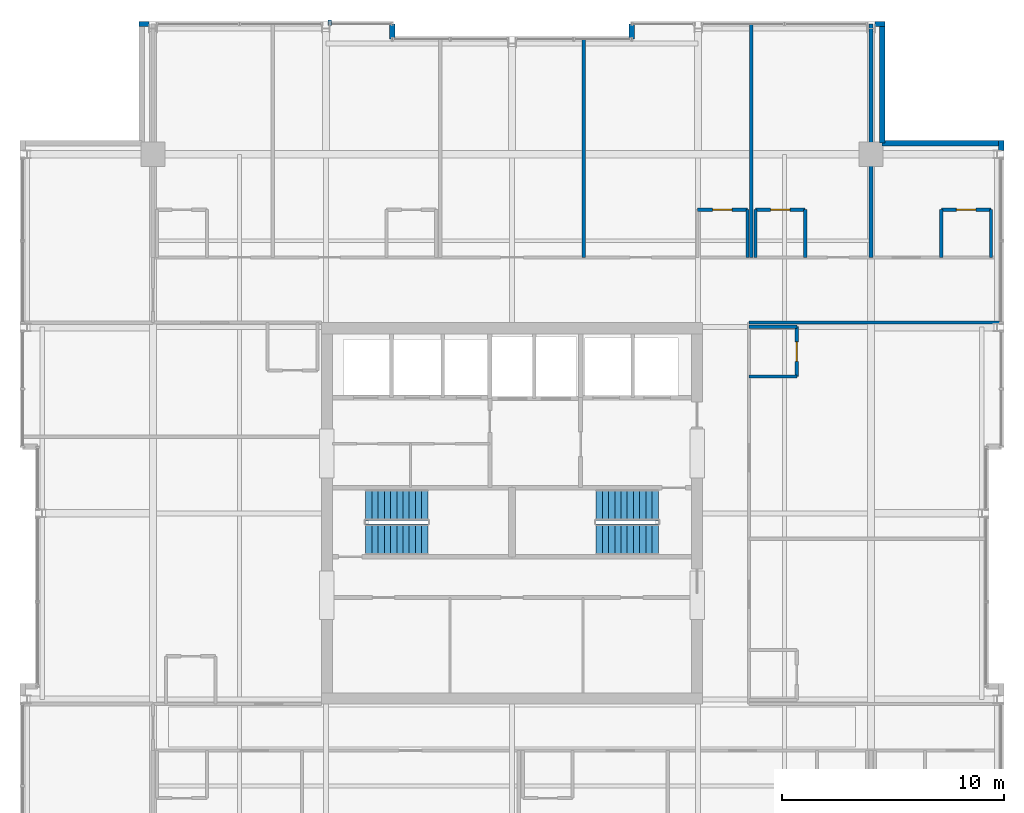
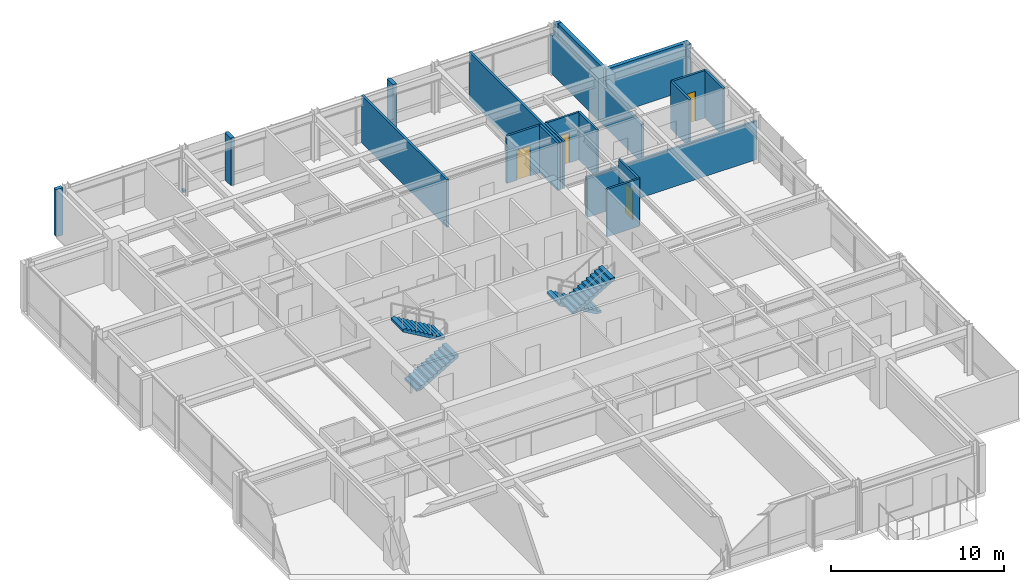
# One storey, part 29 of 31: 22 walls, 4 doors, 4 stair flights, 1 discrete accessory, 4 openings, 2 elements without a shape of their own.
"""IFC4 building model written with IfcOpenShell, lengths in metres."""

from ifc_helpers import new_model, si_unit, direction, frame, frame_2d, origin, origin_2d, place, context, subcontext, project, spatial, polyline, rectangle, outline, extrude, material, layer, layer_set, type_object, element, fill, aggregate, save


model = new_model("IFC4")

# Units and contexts
model_context = context("Model", 3, precision=1e-05, world=origin(), true_north=direction((0.0, 1.0)))
body_context = subcontext(model_context, "Body", "Model", "MODEL_VIEW")
ifc_project = project(units=[si_unit("LENGTHUNIT", "METRE"), si_unit("AREAUNIT", "SQUARE_METRE"), si_unit("VOLUMEUNIT", "CUBIC_METRE"), si_unit("PLANEANGLEUNIT", "RADIAN"), si_unit("MASSUNIT", "GRAM", prefix="KILO")], contexts=[model_context])

# Site, building, storey
site_placement = place(None, origin())
site = spatial("IfcSite", under=ifc_project, at=site_placement, CompositionType="ELEMENT")
building_placement = place(site_placement, origin())
building = spatial("IfcBuilding", under=site, at=building_placement, Name="Drelvath Grand Hotel", CompositionType="ELEMENT")
storey_placement = place(building_placement, frame((0.0, 0.0, 244.699951171875)))
storey = spatial("IfcBuildingStorey", under=building, at=storey_placement, Name="L64", CompositionType="ELEMENT", Elevation=244.699951171875)

# Walls
ifc_material_1 = material(Name="Gypsum Fireboard Partition")
ifc_layer_1 = layer(ifc_material_1, 0.135009765625)
ifc_layer_set_1 = layer_set([ifc_layer_1], Name="Gypsum Fireboard Partition")
wall_type_1 = type_object("IfcWallType", Name="Corridor Fire Barrier Wall 135", PredefinedType="PARTITIONING", material=ifc_layer_set_1)
wall_1_placement = place(storey_placement, frame((10.699951171875, 35.60009765625, 0.0), z_axis=(0.0, 0.0, 1.0), x_axis=(1.0, 0.0, 0.0)))
element("IfcWall", 1, at=wall_1_placement, inside=storey, type_object=wall_type_1, Name="L64 North Gallery Inner East Wall", PredefinedType="PARTITIONING", context=body_context, shape_type="SweptSolid", body=[
    extrude(rectangle(XDim=11.380126953125, YDim=0.135009765625, at=frame_2d((5.68994140625, 0.0))), origin(), (0.0, 0.0, 1.0), 2.717529296875),
])
ifc_material_2 = material(Name="Moisture-Resistant Gypsum Board")
ifc_layer_2 = layer(ifc_material_2, 0.139892578125)
ifc_layer_set_2 = layer_set([ifc_layer_2], Name="Moisture-Resistant Gypsum Board")
wall_type_2 = type_object("IfcWallType", Name="En-Suite Plumbing Wall 140", PredefinedType="PLUMBINGWALL", material=ifc_layer_set_2)
for number, where, z_axis, x_axis, name in (
    (2, (19.3701171875, 38.550048828125, 0.0), (0.0, 0.0, 1.0), (0.0, 1.0, 0.0), "L64 En-Suite Left Wall"),
    (3, (21.6201171875, 38.550048828125, 0.0), (0.0, 0.0, 1.0), (0.0, 1.0, 0.0), "L64 En-Suite Right Wall"),
):
    element("IfcWall", number, at=place(storey_placement, frame(where, z_axis=z_axis, x_axis=x_axis)), inside=storey, type_object=wall_type_2, Name=name, PredefinedType="PLUMBINGWALL", context=body_context, shape_type="SweptSolid", body=[
        extrude(rectangle(XDim=2.14990234375, YDim=0.139892578125, at=frame_2d((1.074951171875, 0.0))), origin(), (0.0, 0.0, 1.0), 3.340087890625),
    ])

# Wall, opening, door
wall_2_placement = place(storey_placement, frame((19.3701171875, 40.699951171875, 0.0), z_axis=(0.0, 0.0, 1.0), x_axis=(1.0, 0.0, 0.0)))
wall_2 = element("IfcWall", 4, at=wall_2_placement, inside=storey, type_object=wall_type_2, Name="L64 En-Suite Front Wall", PredefinedType="PLUMBINGWALL", context=body_context, shape_type="SweptSolid", body=[
    extrude(rectangle(XDim=2.25, YDim=0.139892578125, at=frame_2d((1.125, 0.0))), origin(), (0.0, 0.0, 1.0), 3.340087890625),
])
opening_1_placement = place(wall_2_placement, frame((0.68505859375, 0.0, 0.0)))
opening_1 = element("IfcOpeningElement", 5, at=opening_1_placement, cuts=wall_2, Name="Opening D-T4G4-023", PredefinedType="OPENING", context=body_context, shape_type="SweptSolid", body=[
    extrude(rectangle(XDim=0.8798828125, YDim=2.10009765625, at=frame_2d((0.43994140625, 1.050048828125))), frame((0.0, 0.079833984375, 0.0), z_axis=(0.0, -1.0, 0.0), x_axis=(1.0, 0.0, 0.0)), (0.0, 0.0, 1.0), 0.159912109375),
])
ifc_material_3 = material(Name="Hardwood Walnut Timber", Category="wood")
door_type = type_object("IfcDoorType", Name="En-Suite Bathroom Door 880x2100", OperationType="NOTDEFINED", PredefinedType="DOOR", material=ifc_material_3)
door_1_placement = place(opening_1_placement, origin())
door_1 = element("IfcDoor", 6, at=door_1_placement, inside=storey, type_object=door_type, Name="L64 En-Suite Bathroom Door", OperationType="SINGLE_SWING_RIGHT", OverallHeight=2.10009765625, OverallWidth=0.8798828125, PredefinedType="DOOR", context=body_context, shape_type="SweptSolid", body=[
    extrude(rectangle(XDim=0.8798828125, YDim=2.10009765625, at=frame_2d((0.43994140625, 1.050048828125))), frame((0.0, 0.02490234375, 0.0), z_axis=(0.0, -1.0, 0.0), x_axis=(1.0, 0.0, 0.0)), (0.0, 0.0, 1.0), 0.050048828125),
])
fill(opening_1, door_1)

# Wall
wall_3_placement = place(storey_placement, frame((10.6201171875, 38.550048828125, 0.0), z_axis=(0.0, 0.0, 1.0), x_axis=(0.0, 1.0, 0.0)))
element("IfcWall", 7, at=wall_3_placement, inside=storey, type_object=wall_type_2, Name="L64 En-Suite Right Wall", PredefinedType="PLUMBINGWALL", context=body_context, shape_type="SweptSolid", body=[
    extrude(rectangle(XDim=2.14990234375, YDim=0.139892578125, at=frame_2d((1.074951171875, 0.0))), origin(), (0.0, 0.0, 1.0), 3.340087890625),
])

# Wall, opening, door
wall_4_placement = place(storey_placement, frame((8.3701171875, 40.699951171875, 0.0), z_axis=(0.0, 0.0, 1.0), x_axis=(1.0, 0.0, 0.0)))
wall_4 = element("IfcWall", 8, at=wall_4_placement, inside=storey, type_object=wall_type_2, Name="L64 En-Suite Front Wall", PredefinedType="PLUMBINGWALL", context=body_context, shape_type="SweptSolid", body=[
    extrude(rectangle(XDim=2.25, YDim=0.139892578125, at=frame_2d((1.125, 0.0))), origin(), (0.0, 0.0, 1.0), 3.340087890625),
])
opening_2_placement = place(wall_4_placement, frame((0.68505859375, 0.0, 0.0)))
opening_2 = element("IfcOpeningElement", 9, at=opening_2_placement, cuts=wall_4, Name="Opening D-T4G4-037", PredefinedType="OPENING", context=body_context, shape_type="SweptSolid", body=[
    extrude(rectangle(XDim=0.8798828125, YDim=2.10009765625, at=frame_2d((0.43994140625, 1.050048828125))), frame((0.0, 0.079833984375, 0.0), z_axis=(0.0, -1.0, 0.0), x_axis=(1.0, 0.0, 0.0)), (0.0, 0.0, 1.0), 0.159912109375),
])
door_2_placement = place(opening_2_placement, origin())
door_2 = element("IfcDoor", 10, at=door_2_placement, inside=storey, type_object=door_type, Name="L64 En-Suite Bathroom Door", OperationType="SINGLE_SWING_RIGHT", OverallHeight=2.10009765625, OverallWidth=0.8798828125, PredefinedType="DOOR", context=body_context, shape_type="SweptSolid", body=[
    extrude(rectangle(XDim=0.8798828125, YDim=2.10009765625, at=frame_2d((0.43994140625, 1.050048828125))), frame((0.0, 0.02490234375, 0.0), z_axis=(0.0, -1.0, 0.0), x_axis=(1.0, 0.0, 0.0)), (0.0, 0.0, 1.0), 0.050048828125),
])
fill(opening_2, door_2)

# Walls
for number, where, z_axis, x_axis, name in (
    (11, (10.97998046875, 38.550048828125, 0.0), (0.0, 0.0, 1.0), (0.0, 1.0, 0.0), "L64 En-Suite Left Wall"),
    (12, (13.22998046875, 38.550048828125, 0.0), (0.0, 0.0, 1.0), (0.0, 1.0, 0.0), "L64 En-Suite Right Wall"),
):
    element("IfcWall", number, at=place(storey_placement, frame(where, z_axis=z_axis, x_axis=x_axis)), inside=storey, type_object=wall_type_2, Name=name, PredefinedType="PLUMBINGWALL", context=body_context, shape_type="SweptSolid", body=[
        extrude(rectangle(XDim=2.14990234375, YDim=0.139892578125, at=frame_2d((1.074951171875, 0.0))), origin(), (0.0, 0.0, 1.0), 3.340087890625),
    ])

# Wall, opening, door
wall_5_placement = place(storey_placement, frame((10.97998046875, 40.699951171875, 0.0), z_axis=(0.0, 0.0, 1.0), x_axis=(1.0, 0.0, 0.0)))
wall_5 = element("IfcWall", 13, at=wall_5_placement, inside=storey, type_object=wall_type_2, Name="L64 En-Suite Front Wall", PredefinedType="PLUMBINGWALL", context=body_context, shape_type="SweptSolid", body=[
    extrude(rectangle(XDim=2.25, YDim=0.139892578125, at=frame_2d((1.125, 0.0))), origin(), (0.0, 0.0, 1.0), 3.340087890625),
])
opening_3_placement = place(wall_5_placement, frame((0.68505859375, 0.0, 0.0)))
opening_3 = element("IfcOpeningElement", 14, at=opening_3_placement, cuts=wall_5, Name="Opening D-T4G4-039", PredefinedType="OPENING", context=body_context, shape_type="SweptSolid", body=[
    extrude(rectangle(XDim=0.8798828125, YDim=2.10009765625, at=frame_2d((0.43994140625, 1.050048828125))), frame((0.0, 0.079833984375, 0.0), z_axis=(0.0, -1.0, 0.0), x_axis=(1.0, 0.0, 0.0)), (0.0, 0.0, 1.0), 0.159912109375),
])
door_3_placement = place(opening_3_placement, origin())
door_3 = element("IfcDoor", 15, at=door_3_placement, inside=storey, type_object=door_type, Name="L64 En-Suite Bathroom Door", OperationType="SINGLE_SWING_RIGHT", OverallHeight=2.10009765625, OverallWidth=0.8798828125, PredefinedType="DOOR", context=body_context, shape_type="SweptSolid", body=[
    extrude(rectangle(XDim=0.8798828125, YDim=2.10009765625, at=frame_2d((0.43994140625, 1.050048828125))), frame((0.0, 0.02490234375, 0.0), z_axis=(0.0, -1.0, 0.0), x_axis=(1.0, 0.0, 0.0)), (0.0, 0.0, 1.0), 0.050048828125),
])
fill(opening_3, door_3)

# Walls
wall_6_placement = place(storey_placement, frame((10.699951171875, 33.169921875, 0.0), z_axis=(0.0, 0.0, 1.0), x_axis=(1.0, 0.0, 0.0)))
element("IfcWall", 16, at=wall_6_placement, inside=storey, type_object=wall_type_2, Name="L64 En-Suite Left Wall", PredefinedType="PLUMBINGWALL", context=body_context, shape_type="SweptSolid", body=[
    extrude(rectangle(XDim=2.150146484375, YDim=0.139892578125, at=frame_2d((1.0751953125, 0.0))), origin(), (0.0, 0.0, 1.0), 3.340087890625),
])
wall_7_placement = place(storey_placement, frame((10.699951171875, 35.419921875, 0.0), z_axis=(0.0, 0.0, 1.0), x_axis=(1.0, 0.0, 0.0)))
element("IfcWall", 17, at=wall_7_placement, inside=storey, type_object=wall_type_2, Name="L64 En-Suite Right Wall", PredefinedType="PLUMBINGWALL", context=body_context, shape_type="SweptSolid", body=[
    extrude(rectangle(XDim=2.150146484375, YDim=0.139892578125, at=frame_2d((1.0751953125, 0.0))), origin(), (0.0, 0.0, 1.0), 2.717529296875),
])

# Wall, opening, door
wall_8_placement = place(storey_placement, frame((12.85009765625, 33.169921875, 0.0), z_axis=(0.0, 0.0, 1.0), x_axis=(0.0, 1.0, 0.0)))
wall_8 = element("IfcWall", 18, at=wall_8_placement, inside=storey, type_object=wall_type_2, Name="L64 En-Suite Front Wall", PredefinedType="PLUMBINGWALL", context=body_context, shape_type="SweptSolid", body=[
    extrude(rectangle(XDim=2.25, YDim=0.139892578125, at=frame_2d((1.125, 0.0))), origin(), (0.0, 0.0, 1.0), 3.340087890625),
])
opening_4_placement = place(wall_8_placement, frame((0.68505859375, 0.0, 0.0)))
opening_4 = element("IfcOpeningElement", 19, at=opening_4_placement, cuts=wall_8, Name="Opening D-T4G4-043", PredefinedType="OPENING", context=body_context, shape_type="SweptSolid", body=[
    extrude(rectangle(XDim=0.8798828125, YDim=2.10009765625, at=frame_2d((0.43994140625, 1.050048828125))), frame((0.0, 0.079833984375, 0.0), z_axis=(0.0, -1.0, 0.0), x_axis=(1.0, 0.0, 0.0)), (0.0, 0.0, 1.0), 0.159912109375),
])
door_4_placement = place(opening_4_placement, origin())
door_4 = element("IfcDoor", 20, at=door_4_placement, inside=storey, type_object=door_type, Name="L64 En-Suite Bathroom Door", OperationType="SINGLE_SWING_RIGHT", OverallHeight=2.10009765625, OverallWidth=0.8798828125, PredefinedType="DOOR", context=body_context, shape_type="SweptSolid", body=[
    extrude(rectangle(XDim=0.8798828125, YDim=2.10009765625, at=frame_2d((0.43994140625, 1.050048828125))), frame((0.0, 0.02490234375, 0.0), z_axis=(0.0, -1.0, 0.0), x_axis=(1.0, 0.0, 0.0)), (0.0, 0.0, 1.0), 0.050048828125),
])
fill(opening_4, door_4)

# Walls
ifc_material_4 = material(Name="Gypsum Acoustic Partition")
ifc_layer_3 = layer(ifc_material_4, 0.14990234375)
ifc_layer_set_3 = layer_set([ifc_layer_3], Name="Gypsum Acoustic Partition")
wall_type_3 = type_object("IfcWallType", Name="Guestroom Demising Wall 150", PredefinedType="PARTITIONING", material=ifc_layer_set_3)
wall_9_placement = place(storey_placement, frame((3.239990234375, 38.550048828125, 0.0), z_axis=(0.0, 0.0, 1.0), x_axis=(0.0, 1.0, 0.0)))
element("IfcWall", 21, at=wall_9_placement, inside=storey, type_object=wall_type_3, Name="L64 North Demising 3", PredefinedType="PARTITIONING", context=body_context, shape_type="SweptSolid", body=[
    extrude(rectangle(XDim=9.849853515625, YDim=0.14990234375, at=frame_2d((4.9248046875, 0.0))), origin(), (0.0, 0.0, 1.0), 3.340087890625),
])
wall_10_placement = place(storey_placement, frame((10.800048828125, 38.550048828125, 0.0), z_axis=(0.0, 0.0, 1.0), x_axis=(0.0, 1.0, 0.0)))
element("IfcWall", 22, at=wall_10_placement, inside=storey, type_object=wall_type_3, Name="L64 North Demising 4", PredefinedType="PARTITIONING", context=body_context, shape_type="SweptSolid", body=[
    extrude(rectangle(XDim=10.530029296875, YDim=0.14990234375, at=frame_2d((5.26513671875, 0.0))), origin(), (0.0, 0.0, 1.0), 3.340087890625),
])
ifc_layer_4 = layer(ifc_material_4, 0.1650390625)
ifc_layer_set_4 = layer_set([ifc_layer_4], Name="Gypsum Acoustic Partition")
wall_type_4 = type_object("IfcWallType", Name="Suite Demising Wall 165", PredefinedType="PARTITIONING", material=ifc_layer_set_4)
wall_11_placement = place(storey_placement, frame((16.199951171875, 38.550048828125, 0.0), z_axis=(0.0, 0.0, 1.0), x_axis=(0.0, 1.0, 0.0)))
element("IfcWall", 23, at=wall_11_placement, inside=storey, type_object=wall_type_4, Name="L64 NE Suite Wall", PredefinedType="PARTITIONING", context=body_context, shape_type="SweptSolid", body=[
    extrude(rectangle(XDim=10.530029296875, YDim=0.1650390625, at=frame_2d((5.26513671875, 0.0))), origin(), (0.0, 0.0, 1.0), 2.7138671875),
])
ifc_material_5 = material(Name="Pale-Metal Insulated Aluminium Spandrel Assembly", Category="aluminium")
ifc_layer_5 = layer(ifc_material_5, 0.239990234375)
ifc_layer_set_5 = layer_set([ifc_layer_5], Name="Pale-Metal Insulated Aluminium Spandrel Assembly")
wall_type_5 = type_object("IfcWallType", Name="Tower Insulated Metal Spandrel Closure Wall 240", PredefinedType="STANDARD", material=ifc_layer_set_5)
for number, where, z_axis, x_axis, name in (
    (24, (22.080078125, 43.820068359375, 0.0), (0.0, 0.0, 1.0), (0.0, -1.0, 0.0), "L64 Corner Pier Spandrel Wall EN3"),
    (25, (-16.820068359375, 49.080078125, 0.0), (0.0, 0.0, 1.0), (1.0, 0.0, 0.0), "L64 Corner Pier Spandrel Wall NW1"),
    (26, (16.378173828125, 49.080078125, 0.0), (0.0, 0.0, 1.0), (1.0, 0.0, 0.0), "L64 Corner Pier Spandrel Wall NE3"),
):
    element("IfcWall", number, at=place(storey_placement, frame(where, z_axis=z_axis, x_axis=x_axis)), inside=storey, type_object=wall_type_5, Name=name, PredefinedType="STANDARD", context=body_context, shape_type="SweptSolid", body=[
        extrude(rectangle(XDim=0.44189453125, YDim=0.239990234375, at=frame_2d((0.220947265625, 0.0))), origin(), (0.0, 0.0, 1.0), 3.340087890625),
    ])
for number, where, z_axis, x_axis, name in (
    (27, (16.699951171875, 48.9599609375, 0.0), (0.0, 0.0, 1.0), (0.0, -1.0, 0.0), "L64 Notched Corner Return Spandrel Wall CNE1"),
    (28, (16.699951171875, 43.699951171875, 0.0), (0.0, 0.0, 1.0), (1.0, 0.0, 0.0), "L64 Notched Corner Return Spandrel Wall CNE2"),
):
    element("IfcWall", number, at=place(storey_placement, frame(where, z_axis=z_axis, x_axis=x_axis)), inside=storey, type_object=wall_type_5, Name=name, PredefinedType="STANDARD", context=body_context, shape_type="SweptSolid", body=[
        extrude(rectangle(XDim=5.260009765625, YDim=0.239990234375, at=frame_2d((2.6298828125, 0.0))), origin(), (0.0, 0.0, 1.0), 3.340087890625),
    ])
for number, where, z_axis, x_axis, name in (
    (29, (-5.39990234375, 49.080078125, 0.0), (0.0, 0.0, 1.0), (0.0, -1.0, 0.0), "L64 Notched Corner Return Spandrel Wall RN1"),
    (30, (5.39990234375, 48.39990234375, 0.0), (0.0, 0.0, 1.0), (0.0, 1.0, 0.0), "L64 Notched Corner Return Spandrel Wall RN2"),
):
    element("IfcWall", number, at=place(storey_placement, frame(where, z_axis=z_axis, x_axis=x_axis)), inside=storey, type_object=wall_type_5, Name=name, PredefinedType="STANDARD", context=body_context, shape_type="SweptSolid", body=[
        extrude(rectangle(XDim=0.68017578125, YDim=0.239990234375, at=frame_2d((0.340087890625, 0.0))), origin(), (0.0, 0.0, 1.0), 3.340087890625),
    ])

# Stair, stair flights
ifc_material_6 = material(Name="Concrete C40/50", Category="concrete")
stair_type = type_object("IfcStairType", Name="Dogleg Exit Stair W1400-R163.6", PredefinedType="HALF_TURN_STAIR", material=ifc_material_6)
stair_1_placement = place(storey_placement, origin())
stair_1 = element("IfcStair", 31, at=stair_1_placement, inside=storey, type_object=stair_type, Name="L64 Core Exit Stair ST-1", PredefinedType="HALF_TURN_STAIR")
stair_flight_type = type_object("IfcStairFlightType", Name="Concrete Stair Flight W1400-R163.6", PredefinedType="STRAIGHT", material=ifc_material_6)
stair_flight_1_placement = place(storey_placement, frame((-6.60009765625, 25.820068359375, 0.0), z_axis=(0.0, 0.0, 1.0), x_axis=(1.0, 0.0, 0.0)))
stair_flight_1 = element("IfcStairFlight", 32, at=stair_flight_1_placement, type_object=stair_flight_type, Name="ST-1 flight 1", NumberOfRisers=11, NumberOfTreads=10, PredefinedType="STRAIGHT", RiserHeight=0.163636364, TreadLength=0.28, context=body_context, shape_type="SweptSolid", body=[
    extrude(outline(polyline([(0.0, 0.0), (0.0, 0.16357421875), (0.280029296875, 0.16357421875), (0.280029296875, 0.327392578125), (0.56005859375, 0.327392578125), (0.56005859375, 0.490966796875), (0.840087890625, 0.490966796875), (0.840087890625, 0.654541015625), (1.1201171875, 0.654541015625), (1.1201171875, 0.818115234375), (1.39990234375, 0.818115234375), (1.39990234375, 0.98193359375), (1.679931640625, 0.98193359375), (1.679931640625, 1.1455078125), (1.9599609375, 1.1455078125), (1.9599609375, 1.30908203125), (2.239990234375, 1.30908203125), (2.239990234375, 1.47265625), (2.52001953125, 1.47265625), (2.52001953125, 1.636474609375), (2.800048828125, 1.636474609375), (2.800048828125, 1.800048828125), (2.800048828125, 1.451171875), (0.31689453125, 0.0), (0.0, 0.0)])), frame((0.0, 0.699951171875, 0.0), z_axis=(0.0, -1.0, 0.0), x_axis=(1.0, 0.0, 0.0)), (0.0, 0.0, 1.0), 1.39990234375),
])
stair_flight_2_placement = place(storey_placement, frame((-3.800048828125, 27.3798828125, 1.800048828125), z_axis=(0.0, 0.0, 1.0), x_axis=(-1.0, 0.0, 0.0)))
stair_flight_2 = element("IfcStairFlight", 33, at=stair_flight_2_placement, type_object=stair_flight_type, Name="ST-1 flight 2", NumberOfRisers=11, NumberOfTreads=10, PredefinedType="STRAIGHT", RiserHeight=0.163636364, TreadLength=0.28, context=body_context, shape_type="SweptSolid", body=[
    extrude(outline(polyline([(0.0, 0.0), (0.0, 0.16357421875), (0.280029296875, 0.16357421875), (0.280029296875, 0.327392578125), (0.56005859375, 0.327392578125), (0.56005859375, 0.490966796875), (0.840087890625, 0.490966796875), (0.840087890625, 0.654541015625), (1.1201171875, 0.654541015625), (1.1201171875, 0.818115234375), (1.39990234375, 0.818115234375), (1.39990234375, 0.98193359375), (1.679931640625, 0.98193359375), (1.679931640625, 1.1455078125), (1.9599609375, 1.1455078125), (1.9599609375, 1.30908203125), (2.239990234375, 1.30908203125), (2.239990234375, 1.47265625), (2.52001953125, 1.47265625), (2.52001953125, 1.636474609375), (2.800048828125, 1.636474609375), (2.800048828125, 1.800048828125), (2.800048828125, 1.451171875), (0.31689453125, 0.0), (0.0, 0.0)])), frame((0.0, 0.699951171875, 0.0), z_axis=(0.0, -1.0, 0.0), x_axis=(1.0, 0.0, 0.0)), (0.0, 0.0, 1.0), 1.39990234375),
])
aggregate(stair_1, [stair_flight_1, stair_flight_2])

stair_2_placement = place(storey_placement, origin())
stair_2 = element("IfcStair", 34, at=stair_2_placement, inside=storey, type_object=stair_type, Name="L64 Core Exit Stair ST-2", PredefinedType="HALF_TURN_STAIR")
stair_flight_3_placement = place(storey_placement, frame((6.60009765625, 27.3798828125, 0.0), z_axis=(0.0, 0.0, 1.0), x_axis=(-1.0, 0.0, 0.0)))
stair_flight_3 = element("IfcStairFlight", 35, at=stair_flight_3_placement, type_object=stair_flight_type, Name="ST-2 flight 1", NumberOfRisers=11, NumberOfTreads=10, PredefinedType="STRAIGHT", RiserHeight=0.163636364, TreadLength=0.28, context=body_context, shape_type="SweptSolid", body=[
    extrude(outline(polyline([(0.0, 0.0), (0.0, 0.16357421875), (0.280029296875, 0.16357421875), (0.280029296875, 0.327392578125), (0.56005859375, 0.327392578125), (0.56005859375, 0.490966796875), (0.840087890625, 0.490966796875), (0.840087890625, 0.654541015625), (1.1201171875, 0.654541015625), (1.1201171875, 0.818115234375), (1.39990234375, 0.818115234375), (1.39990234375, 0.98193359375), (1.679931640625, 0.98193359375), (1.679931640625, 1.1455078125), (1.9599609375, 1.1455078125), (1.9599609375, 1.30908203125), (2.239990234375, 1.30908203125), (2.239990234375, 1.47265625), (2.52001953125, 1.47265625), (2.52001953125, 1.636474609375), (2.800048828125, 1.636474609375), (2.800048828125, 1.800048828125), (2.800048828125, 1.451171875), (0.31689453125, 0.0), (0.0, 0.0)])), frame((0.0, 0.699951171875, 0.0), z_axis=(0.0, -1.0, 0.0), x_axis=(1.0, 0.0, 0.0)), (0.0, 0.0, 1.0), 1.39990234375),
])
stair_flight_4_placement = place(storey_placement, frame((3.800048828125, 25.820068359375, 1.800048828125), z_axis=(0.0, 0.0, 1.0), x_axis=(1.0, 0.0, 0.0)))
stair_flight_4 = element("IfcStairFlight", 36, at=stair_flight_4_placement, type_object=stair_flight_type, Name="ST-2 flight 2", NumberOfRisers=11, NumberOfTreads=10, PredefinedType="STRAIGHT", RiserHeight=0.163636364, TreadLength=0.28, context=body_context, shape_type="SweptSolid", body=[
    extrude(outline(polyline([(0.0, 0.0), (0.0, 0.16357421875), (0.280029296875, 0.16357421875), (0.280029296875, 0.327392578125), (0.56005859375, 0.327392578125), (0.56005859375, 0.490966796875), (0.840087890625, 0.490966796875), (0.840087890625, 0.654541015625), (1.1201171875, 0.654541015625), (1.1201171875, 0.818115234375), (1.39990234375, 0.818115234375), (1.39990234375, 0.98193359375), (1.679931640625, 0.98193359375), (1.679931640625, 1.1455078125), (1.9599609375, 1.1455078125), (1.9599609375, 1.30908203125), (2.239990234375, 1.30908203125), (2.239990234375, 1.47265625), (2.52001953125, 1.47265625), (2.52001953125, 1.636474609375), (2.800048828125, 1.636474609375), (2.800048828125, 1.800048828125), (2.800048828125, 1.451171875), (0.31689453125, 0.0), (0.0, 0.0)])), frame((0.0, 0.699951171875, 0.0), z_axis=(0.0, -1.0, 0.0), x_axis=(1.0, 0.0, 0.0)), (0.0, 0.0, 1.0), 1.39990234375),
])
aggregate(stair_2, [stair_flight_3, stair_flight_4])

# Discrete accessory
ifc_material_7 = material(Name="Stainless Steel Grade 316", Category="steel")
discrete_accessory_type = type_object("IfcDiscreteAccessoryType", Name="Curtain Wall Fin Mounting Bracket Cleat", PredefinedType="BRACKET", material=ifc_material_7)
discrete_accessory_placement = place(storey_placement, frame((-8.2216796875, 49.139892578125, 0.10009765625), z_axis=(0.0, 0.0, 1.0), x_axis=(1.0, 0.0, 0.0)))
element("IfcDiscreteAccessory", 37, at=discrete_accessory_placement, inside=storey, type_object=discrete_accessory_type, Name="L64 Fin Mounting Bracket CW05-L64-NW3-1", PredefinedType="BRACKET", context=body_context, shape_type="SweptSolid", body=[
    extrude(rectangle(XDim=0.159912109375, YDim=0.239990234375, at=origin_2d()), origin(), (0.0, 0.0, 1.0), 0.159912109375),
])

save(model, "model.ifc")
